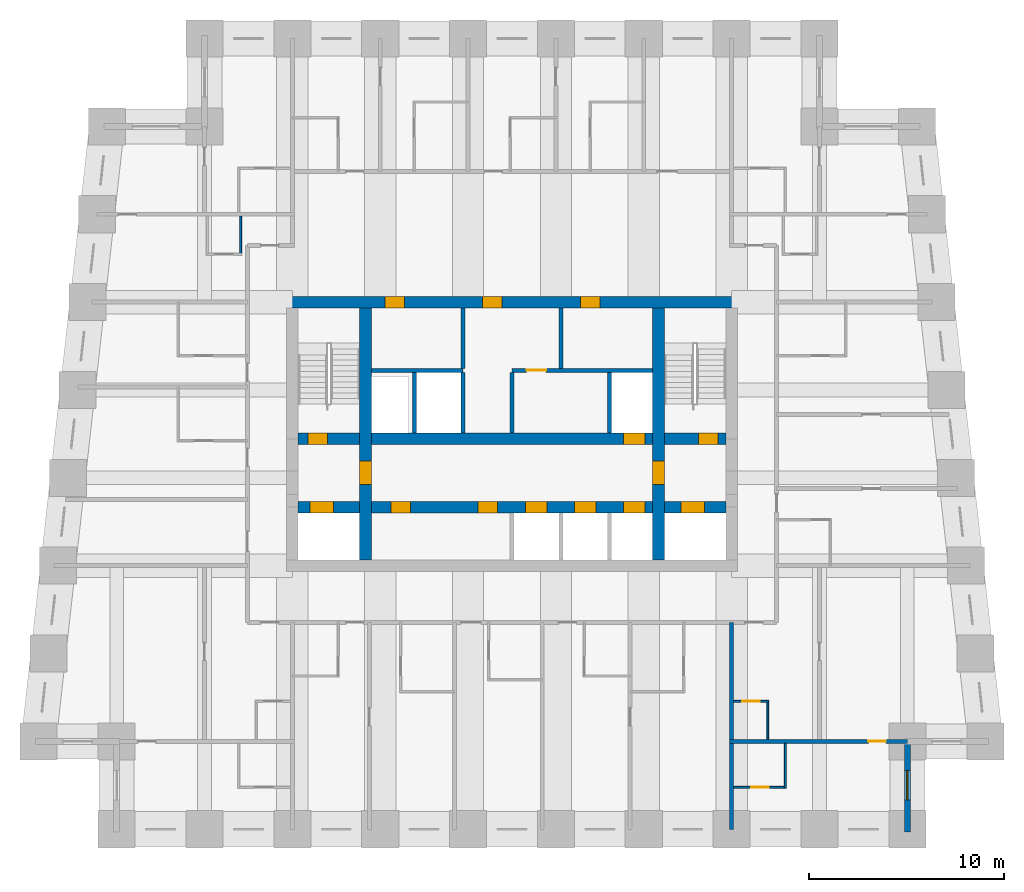
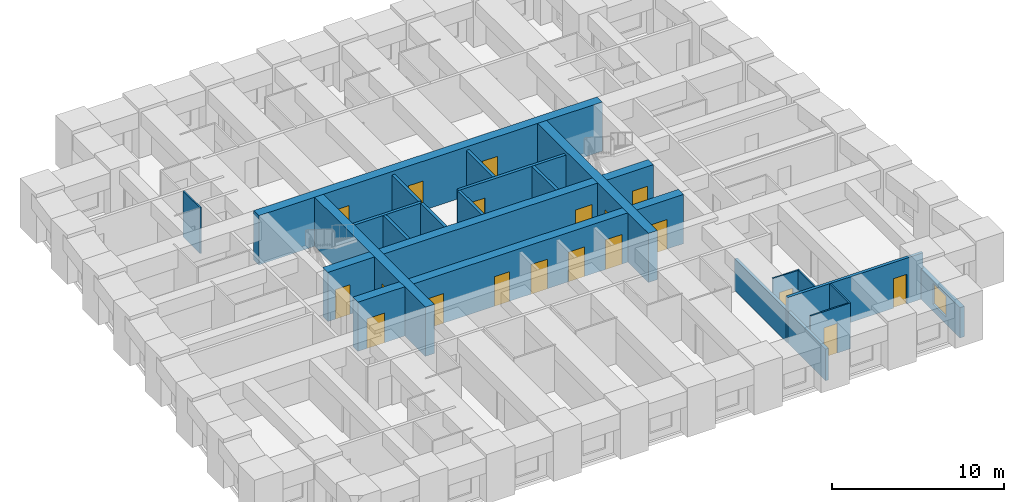
# One storey, part 4 of 8: 21 walls, 19 doors, 1 window, 20 openings.
"""IFC4 building model written with IfcOpenShell, lengths in metres."""

from ifc_helpers import new_model, si_unit, direction, frame, frame_2d, origin, place, context, subcontext, project, spatial, rectangle, extrude, material, layer, layer_set, type_object, element, fill, save


model = new_model("IFC4")

# Units and contexts
model_context = context("Model", 3, precision=1e-05, world=origin(), true_north=direction((0.0, 1.0)))
body_context = subcontext(model_context, "Body", "Model", "MODEL_VIEW")
ifc_project = project(units=[si_unit("LENGTHUNIT", "METRE"), si_unit("AREAUNIT", "SQUARE_METRE"), si_unit("VOLUMEUNIT", "CUBIC_METRE"), si_unit("PLANEANGLEUNIT", "RADIAN"), si_unit("MASSUNIT", "GRAM", prefix="KILO")], contexts=[model_context])

# Site, building, storey
site_placement = place(None, origin())
site = spatial("IfcSite", under=ifc_project, at=site_placement, CompositionType="ELEMENT")
building_placement = place(site_placement, origin())
building = spatial("IfcBuilding", under=site, at=building_placement, Name="Kilele Tower Hotel", CompositionType="ELEMENT")
storey_placement = place(building_placement, frame((0.0, 0.0, 131.89990234375)))
storey = spatial("IfcBuildingStorey", under=building, at=storey_placement, Name="L34", CompositionType="ELEMENT", Elevation=131.89990234375)

# Wall
ifc_material_1 = material(Name="Moisture-resistant board")
ifc_layer_1 = layer(ifc_material_1, 0.10009765625)
ifc_layer_set_1 = layer_set([ifc_layer_1], Name="Moisture-resistant board")
wall_type_1 = type_object("IfcWallType", Name="Bathroom partition 100", PredefinedType="PLUMBINGWALL", material=ifc_layer_set_1)
wall_1_placement = place(storey_placement, frame((37.85009765625, 4.60009765625, 0.0), z_axis=(0.0, 0.0, 1.0), x_axis=(0.0, 1.0, 0.0)))
element("IfcWall", 1, at=wall_1_placement, inside=storey, type_object=wall_type_1, Name="Bathroom partition 100 L34", PredefinedType="PLUMBINGWALL", context=body_context, shape_type="SweptSolid", body=[
    extrude(rectangle(XDim=2.0, YDim=0.10009765625, at=frame_2d((1.0, 0.0))), origin(), (0.0, 0.0, 1.0), 3.25),
])

# Wall, opening, door
wall_2_placement = place(storey_placement, frame((36.10009765625, 6.550048828125, 0.0), z_axis=(0.0, 0.0, 1.0), x_axis=(1.0, 0.0, 0.0)))
wall_2 = element("IfcWall", 2, at=wall_2_placement, inside=storey, type_object=wall_type_1, Name="Bathroom partition 100 L34", PredefinedType="PLUMBINGWALL", context=body_context, shape_type="SweptSolid", body=[
    extrude(rectangle(XDim=1.7998046875, YDim=0.10009765625, at=frame_2d((0.89990234375, 0.0))), origin(), (0.0, 0.0, 1.0), 3.25),
])
opening_1_placement = place(wall_2_placement, frame((0.449951171875, 0.0, 0.0)))
opening_1 = element("IfcOpeningElement", 3, at=opening_1_placement, cuts=wall_2, Name="Opening D2A", PredefinedType="OPENING", context=body_context, shape_type="SweptSolid", body=[
    extrude(rectangle(XDim=0.89990234375, YDim=2.10009765625, at=frame_2d((0.449951171875, 1.050048828125))), frame((0.0, 0.06005859375, 0.0), z_axis=(0.0, -1.0, 0.0), x_axis=(1.0, 0.0, 0.0)), (0.0, 0.0, 1.0), 0.1201171875),
])
ifc_material_2 = material(Name="Timber door leaf in hardwood frame", Category="wood")
door_type_1 = type_object("IfcDoorType", Name="Bathroom door 900", OperationType="SINGLE_SWING_LEFT", PredefinedType="DOOR", material=ifc_material_2)
door_1_placement = place(opening_1_placement, origin())
door_1 = element("IfcDoor", 4, at=door_1_placement, inside=storey, type_object=door_type_1, Name="Bathroom door 3420P", OperationType="SINGLE_SWING_LEFT", OverallHeight=2.10009765625, OverallWidth=0.89990234375, PredefinedType="DOOR", context=body_context, shape_type="SweptSolid", body=[
    extrude(rectangle(XDim=0.89990234375, YDim=2.10009765625, at=frame_2d((0.449951171875, 1.050048828125))), frame((0.0, 0.02490234375, 0.0), z_axis=(0.0, -1.0, 0.0), x_axis=(1.0, 0.0, 0.0)), (0.0, 0.0, 1.0), 0.050048828125),
])
fill(opening_1, door_1)

# Wall
wall_3_placement = place(storey_placement, frame((38.75, 4.39990234375, 0.0), z_axis=(0.0, 0.0, 1.0), x_axis=(0.0, -1.0, 0.0)))
element("IfcWall", 5, at=wall_3_placement, inside=storey, type_object=wall_type_1, Name="Bathroom partition 100 L34", PredefinedType="PLUMBINGWALL", context=body_context, shape_type="SweptSolid", body=[
    extrude(rectangle(XDim=2.2998046875, YDim=0.10009765625, at=frame_2d((1.14990234375, 0.0))), origin(), (0.0, 0.0, 1.0), 3.25),
])

# Wall, opening, door
wall_4_placement = place(storey_placement, frame((36.10009765625, 2.14990234375, 0.0), z_axis=(0.0, 0.0, 1.0), x_axis=(1.0, 0.0, 0.0)))
wall_4 = element("IfcWall", 6, at=wall_4_placement, inside=storey, type_object=wall_type_1, Name="Bathroom partition 100 L34", PredefinedType="PLUMBINGWALL", context=body_context, shape_type="SweptSolid", body=[
    extrude(rectangle(XDim=2.699951171875, YDim=0.10009765625, at=frame_2d((1.35009765625, 0.0))), origin(), (0.0, 0.0, 1.0), 3.25),
])
opening_2_placement = place(wall_4_placement, frame((1.7998046875, 0.0, 0.0), z_axis=(0.0, 0.0, 1.0), x_axis=(-1.0, 0.0, 0.0)))
opening_2 = element("IfcOpeningElement", 7, at=opening_2_placement, cuts=wall_4, Name="Opening D2A", PredefinedType="OPENING", context=body_context, shape_type="SweptSolid", body=[
    extrude(rectangle(XDim=0.89990234375, YDim=2.10009765625, at=frame_2d((0.449951171875, 1.050048828125))), frame((0.0, 0.06005859375, 0.0), z_axis=(0.0, -1.0, 0.0), x_axis=(1.0, 0.0, 0.0)), (0.0, 0.0, 1.0), 0.1201171875),
])
door_2_placement = place(opening_2_placement, origin())
door_2 = element("IfcDoor", 8, at=door_2_placement, inside=storey, type_object=door_type_1, Name="Bathroom door 3422B", OperationType="SINGLE_SWING_RIGHT", OverallHeight=2.10009765625, OverallWidth=0.89990234375, PredefinedType="DOOR", context=body_context, shape_type="SweptSolid", body=[
    extrude(rectangle(XDim=0.89990234375, YDim=2.10009765625, at=frame_2d((0.449951171875, 1.050048828125))), frame((0.0, 0.02490234375, 0.0), z_axis=(0.0, -1.0, 0.0), x_axis=(1.0, 0.0, 0.0)), (0.0, 0.0, 1.0), 0.050048828125),
])
fill(opening_2, door_2)

# Wall
wall_5_placement = place(storey_placement, frame((10.85009765625, 31.39990234375, 0.0), z_axis=(0.0, 0.0, 1.0), x_axis=(0.0, -1.0, 0.0)))
element("IfcWall", 9, at=wall_5_placement, inside=storey, type_object=wall_type_1, Name="Bathroom partition 100 L34", PredefinedType="PLUMBINGWALL", context=body_context, shape_type="SweptSolid", body=[
    extrude(rectangle(XDim=2.0, YDim=0.10009765625, at=frame_2d((1.0, 0.0))), origin(), (0.0, 0.0, 1.0), 3.25),
])

# Wall, openings, doors
ifc_material_3 = material(Name="Concrete C60/75", Category="concrete")
ifc_layer_2 = layer(ifc_material_3, 0.60009765625)
ifc_layer_set_2 = layer_set([ifc_layer_2], Name="Concrete C60/75")
wall_type_2 = type_object("IfcWallType", Name="Core wall 600 C60/75", PredefinedType="SHEAR", material=ifc_layer_set_2)
wall_6_placement = place(storey_placement, frame((36.300048828125, 27.0, 0.0), z_axis=(0.0, 0.0, 1.0), x_axis=(-1.0, 0.0, 0.0)))
wall_6 = element("IfcWall", 10, at=wall_6_placement, inside=storey, type_object=wall_type_2, Name="Core wall N L34", PredefinedType="SHEAR", context=body_context, shape_type="SweptSolid", body=[
    extrude(rectangle(XDim=23.10009765625, YDim=0.60009765625, at=frame_2d((11.550048828125, 0.0))), origin(), (0.0, 0.0, 1.0), 3.5),
])
opening_3_placement = place(wall_6_placement, frame((17.050048828125, 0.0, 0.0)))
opening_3 = element("IfcOpeningElement", 11, at=opening_3_placement, cuts=wall_6, Name="Opening D6", PredefinedType="OPENING", context=body_context, shape_type="SweptSolid", body=[
    extrude(rectangle(XDim=1.0, YDim=2.10009765625, at=frame_2d((0.5, 1.050048828125))), frame((0.0, 0.31005859375, 0.0), z_axis=(0.0, -1.0, 0.0), x_axis=(1.0, 0.0, 0.0)), (0.0, 0.0, 1.0), 0.6201171875),
])
opening_4_placement = place(wall_6_placement, frame((12.050048828125, 0.0, 0.0)))
opening_4 = element("IfcOpeningElement", 12, at=opening_4_placement, cuts=wall_6, Name="Opening D6", PredefinedType="OPENING", context=body_context, shape_type="SweptSolid", body=[
    extrude(rectangle(XDim=1.0, YDim=2.10009765625, at=frame_2d((0.5, 1.050048828125))), frame((0.0, 0.31005859375, 0.0), z_axis=(0.0, -1.0, 0.0), x_axis=(1.0, 0.0, 0.0)), (0.0, 0.0, 1.0), 0.6201171875),
])
opening_5_placement = place(wall_6_placement, frame((7.050048828125, 0.0, 0.0)))
opening_5 = element("IfcOpeningElement", 13, at=opening_5_placement, cuts=wall_6, Name="Opening D6", PredefinedType="OPENING", context=body_context, shape_type="SweptSolid", body=[
    extrude(rectangle(XDim=1.0, YDim=2.10009765625, at=frame_2d((0.5, 1.050048828125))), frame((0.0, 0.31005859375, 0.0), z_axis=(0.0, -1.0, 0.0), x_axis=(1.0, 0.0, 0.0)), (0.0, 0.0, 1.0), 0.6201171875),
])
ifc_material_4 = material(Name="Timber door leaf in hardwood frame", Category="wood")
door_type_2 = type_object("IfcDoorType", Name="Riser door 1000", OperationType="SINGLE_SWING_LEFT", PredefinedType="DOOR", material=ifc_material_4)
door_3_placement = place(opening_3_placement, origin())
door_3 = element("IfcDoor", 14, at=door_3_placement, inside=storey, type_object=door_type_2, Name="Service riser door L34", OperationType="SINGLE_SWING_RIGHT", OverallHeight=2.10009765625, OverallWidth=1.0, PredefinedType="DOOR", context=body_context, shape_type="SweptSolid", body=[
    extrude(rectangle(XDim=1.0, YDim=2.10009765625, at=frame_2d((0.5, 1.050048828125))), frame((0.0, 0.2998046875, 0.0), z_axis=(0.0, -1.0, 0.0), x_axis=(1.0, 0.0, 0.0)), (0.0, 0.0, 1.0), 0.599609375),
])
fill(opening_3, door_3)
door_4_placement = place(opening_4_placement, origin())
door_4 = element("IfcDoor", 15, at=door_4_placement, inside=storey, type_object=door_type_2, Name="Housekeeping linen room door L34", OperationType="SINGLE_SWING_RIGHT", OverallHeight=2.10009765625, OverallWidth=1.0, PredefinedType="DOOR", context=body_context, shape_type="SweptSolid", body=[
    extrude(rectangle(XDim=1.0, YDim=2.10009765625, at=frame_2d((0.5, 1.050048828125))), frame((0.0, 0.2998046875, 0.0), z_axis=(0.0, -1.0, 0.0), x_axis=(1.0, 0.0, 0.0)), (0.0, 0.0, 1.0), 0.599609375),
])
fill(opening_4, door_4)
door_5_placement = place(opening_5_placement, origin())
door_5 = element("IfcDoor", 16, at=door_5_placement, inside=storey, type_object=door_type_2, Name="Electrical riser door L34", OperationType="SINGLE_SWING_RIGHT", OverallHeight=2.10009765625, OverallWidth=1.0, PredefinedType="DOOR", context=body_context, shape_type="SweptSolid", body=[
    extrude(rectangle(XDim=1.0, YDim=2.10009765625, at=frame_2d((0.5, 1.050048828125))), frame((0.0, 0.2998046875, 0.0), z_axis=(0.0, -1.0, 0.0), x_axis=(1.0, 0.0, 0.0)), (0.0, 0.0, 1.0), 0.599609375),
])
fill(opening_5, door_5)

# Wall, opening, door
wall_7_placement = place(storey_placement, frame((17.25, 13.800048828125, 0.0), z_axis=(0.0, 0.0, 1.0), x_axis=(0.0, 1.0, 0.0)))
wall_7 = element("IfcWall", 17, at=wall_7_placement, inside=storey, type_object=wall_type_2, Name="Core wall IW L34", PredefinedType="SHEAR", context=body_context, shape_type="SweptSolid", body=[
    extrude(rectangle(XDim=12.89990234375, YDim=0.60009765625, at=frame_2d((6.449951171875, 0.0))), origin(), (0.0, 0.0, 1.0), 3.5),
])
opening_6_placement = place(wall_7_placement, frame((3.85009765625, 0.0, 0.0)))
opening_6 = element("IfcOpeningElement", 18, at=opening_6_placement, cuts=wall_7, Name="Opening D4", PredefinedType="OPENING", context=body_context, shape_type="SweptSolid", body=[
    extrude(rectangle(XDim=1.199951171875, YDim=2.10009765625, at=frame_2d((0.60009765625, 1.050048828125))), frame((0.0, 0.31005859375, 0.0), z_axis=(0.0, -1.0, 0.0), x_axis=(1.0, 0.0, 0.0)), (0.0, 0.0, 1.0), 0.6201171875),
])
ifc_material_5 = material(Name="Timber door leaf in hardwood frame", Category="wood")
door_type_3 = type_object("IfcDoorType", Name="Firefighting lobby door 1200", OperationType="SINGLE_SWING_LEFT", PredefinedType="DOOR", material=ifc_material_5)
door_6_placement = place(opening_6_placement, origin())
door_6 = element("IfcDoor", 19, at=door_6_placement, inside=storey, type_object=door_type_3, Name="Lobby door L34", OperationType="SINGLE_SWING_LEFT", OverallHeight=2.10009765625, OverallWidth=1.199951171875, PredefinedType="DOOR", context=body_context, shape_type="SweptSolid", body=[
    extrude(rectangle(XDim=1.199951171875, YDim=2.10009765625, at=frame_2d((0.60009765625, 1.050048828125))), frame((0.0, 0.2998046875, 0.0), z_axis=(0.0, -1.0, 0.0), x_axis=(1.0, 0.0, 0.0)), (0.0, 0.0, 1.0), 0.599609375),
])
fill(opening_6, door_6)

wall_8_placement = place(storey_placement, frame((32.25, 13.800048828125, 0.0), z_axis=(0.0, 0.0, 1.0), x_axis=(0.0, 1.0, 0.0)))
wall_8 = element("IfcWall", 20, at=wall_8_placement, inside=storey, type_object=wall_type_2, Name="Core wall IE L34", PredefinedType="SHEAR", context=body_context, shape_type="SweptSolid", body=[
    extrude(rectangle(XDim=12.89990234375, YDim=0.60009765625, at=frame_2d((6.449951171875, 0.0))), origin(), (0.0, 0.0, 1.0), 3.5),
])
opening_7_placement = place(wall_8_placement, frame((5.050048828125, 0.0, 0.0), z_axis=(0.0, 0.0, 1.0), x_axis=(-1.0, 0.0, 0.0)))
opening_7 = element("IfcOpeningElement", 21, at=opening_7_placement, cuts=wall_8, Name="Opening D4", PredefinedType="OPENING", context=body_context, shape_type="SweptSolid", body=[
    extrude(rectangle(XDim=1.199951171875, YDim=2.10009765625, at=frame_2d((0.60009765625, 1.050048828125))), frame((0.0, 0.31005859375, 0.0), z_axis=(0.0, -1.0, 0.0), x_axis=(1.0, 0.0, 0.0)), (0.0, 0.0, 1.0), 0.6201171875),
])
door_7_placement = place(opening_7_placement, origin())
door_7 = element("IfcDoor", 22, at=door_7_placement, inside=storey, type_object=door_type_3, Name="Lobby door L34", OperationType="SINGLE_SWING_RIGHT", OverallHeight=2.10009765625, OverallWidth=1.199951171875, PredefinedType="DOOR", context=body_context, shape_type="SweptSolid", body=[
    extrude(rectangle(XDim=1.199951171875, YDim=2.10009765625, at=frame_2d((0.60009765625, 1.050048828125))), frame((0.0, 0.2998046875, 0.0), z_axis=(0.0, -1.0, 0.0), x_axis=(1.0, 0.0, 0.0)), (0.0, 0.0, 1.0), 0.599609375),
])
fill(opening_7, door_7)

# Wall, openings, doors
wall_9_placement = place(storey_placement, frame((13.800048828125, 16.5, 0.0), z_axis=(0.0, 0.0, 1.0), x_axis=(1.0, 0.0, 0.0)))
wall_9 = element("IfcWall", 23, at=wall_9_placement, inside=storey, type_object=wall_type_2, Name="Core wall LS L34", PredefinedType="SHEAR", context=body_context, shape_type="SweptSolid", body=[
    extrude(rectangle(XDim=21.89990234375, YDim=0.60009765625, at=frame_2d((10.949951171875, 0.0))), origin(), (0.0, 0.0, 1.0), 3.5),
])
opening_8_placement = place(wall_9_placement, frame((11.64990234375, 0.0, 0.0)))
opening_8 = element("IfcOpeningElement", 24, at=opening_8_placement, cuts=wall_9, Name="Opening LD1", PredefinedType="OPENING", context=body_context, shape_type="SweptSolid", body=[
    extrude(rectangle(XDim=1.10009765625, YDim=2.10009765625, at=frame_2d((0.550048828125, 1.050048828125))), frame((0.0, 0.31005859375, 0.0), z_axis=(0.0, -1.0, 0.0), x_axis=(1.0, 0.0, 0.0)), (0.0, 0.0, 1.0), 0.6201171875),
])
opening_9_placement = place(wall_9_placement, frame((14.14990234375, 0.0, 0.0)))
opening_9 = element("IfcOpeningElement", 25, at=opening_9_placement, cuts=wall_9, Name="Opening LD1", PredefinedType="OPENING", context=body_context, shape_type="SweptSolid", body=[
    extrude(rectangle(XDim=1.10009765625, YDim=2.10009765625, at=frame_2d((0.550048828125, 1.050048828125))), frame((0.0, 0.31005859375, 0.0), z_axis=(0.0, -1.0, 0.0), x_axis=(1.0, 0.0, 0.0)), (0.0, 0.0, 1.0), 0.6201171875),
])
opening_10_placement = place(wall_9_placement, frame((16.64990234375, 0.0, 0.0)))
opening_10 = element("IfcOpeningElement", 26, at=opening_10_placement, cuts=wall_9, Name="Opening LD1", PredefinedType="OPENING", context=body_context, shape_type="SweptSolid", body=[
    extrude(rectangle(XDim=1.10009765625, YDim=2.10009765625, at=frame_2d((0.550048828125, 1.050048828125))), frame((0.0, 0.31005859375, 0.0), z_axis=(0.0, -1.0, 0.0), x_axis=(1.0, 0.0, 0.0)), (0.0, 0.0, 1.0), 0.6201171875),
])
opening_11_placement = place(wall_9_placement, frame((5.75, 0.0, 0.0), z_axis=(0.0, 0.0, 1.0), x_axis=(-1.0, 0.0, 0.0)))
opening_11 = element("IfcOpeningElement", 27, at=opening_11_placement, cuts=wall_9, Name="Opening D11", PredefinedType="OPENING", context=body_context, shape_type="SweptSolid", body=[
    extrude(rectangle(XDim=1.0, YDim=2.10009765625, at=frame_2d((0.5, 1.050048828125))), frame((0.0, 0.31005859375, 0.0), z_axis=(0.0, -1.0, 0.0), x_axis=(1.0, 0.0, 0.0)), (0.0, 0.0, 1.0), 0.6201171875),
])
opening_12_placement = place(wall_9_placement, frame((10.199951171875, 0.0, 0.0), z_axis=(0.0, 0.0, 1.0), x_axis=(-1.0, 0.0, 0.0)))
opening_12 = element("IfcOpeningElement", 28, at=opening_12_placement, cuts=wall_9, Name="Opening D11", PredefinedType="OPENING", context=body_context, shape_type="SweptSolid", body=[
    extrude(rectangle(XDim=1.0, YDim=2.10009765625, at=frame_2d((0.5, 1.050048828125))), frame((0.0, 0.31005859375, 0.0), z_axis=(0.0, -1.0, 0.0), x_axis=(1.0, 0.0, 0.0)), (0.0, 0.0, 1.0), 0.6201171875),
])
opening_13_placement = place(wall_9_placement, frame((0.60009765625, 0.0, 0.0)))
opening_13 = element("IfcOpeningElement", 29, at=opening_13_placement, cuts=wall_9, Name="Opening LD2", PredefinedType="OPENING", context=body_context, shape_type="SweptSolid", body=[
    extrude(rectangle(XDim=1.199951171875, YDim=2.10009765625, at=frame_2d((0.60009765625, 1.050048828125))), frame((0.0, 0.31005859375, 0.0), z_axis=(0.0, -1.0, 0.0), x_axis=(1.0, 0.0, 0.0)), (0.0, 0.0, 1.0), 0.6201171875),
])
opening_14_placement = place(wall_9_placement, frame((19.60009765625, 0.0, 0.0)))
opening_14 = element("IfcOpeningElement", 30, at=opening_14_placement, cuts=wall_9, Name="Opening LD2", PredefinedType="OPENING", context=body_context, shape_type="SweptSolid", body=[
    extrude(rectangle(XDim=1.199951171875, YDim=2.10009765625, at=frame_2d((0.60009765625, 1.050048828125))), frame((0.0, 0.31005859375, 0.0), z_axis=(0.0, -1.0, 0.0), x_axis=(1.0, 0.0, 0.0)), (0.0, 0.0, 1.0), 0.6201171875),
])
ifc_material_6 = material(Name="Timber door leaf in hardwood frame", Category="wood")
door_type_4 = type_object("IfcDoorType", Name="Core store door 1000", OperationType="SINGLE_SWING_LEFT", PredefinedType="DOOR", material=ifc_material_6)
door_8_placement = place(opening_11_placement, origin())
door_8 = element("IfcDoor", 31, at=door_8_placement, inside=storey, type_object=door_type_4, Name="Core room door L1 L34", OperationType="SINGLE_SWING_RIGHT", OverallHeight=2.10009765625, OverallWidth=1.0, PredefinedType="DOOR", context=body_context, shape_type="SweptSolid", body=[
    extrude(rectangle(XDim=1.0, YDim=2.10009765625, at=frame_2d((0.5, 1.050048828125))), frame((0.0, 0.2998046875, 0.0), z_axis=(0.0, -1.0, 0.0), x_axis=(1.0, 0.0, 0.0)), (0.0, 0.0, 1.0), 0.599609375),
])
fill(opening_11, door_8)
door_9_placement = place(opening_12_placement, origin())
door_9 = element("IfcDoor", 32, at=door_9_placement, inside=storey, type_object=door_type_4, Name="Core room door L3 L34", OperationType="SINGLE_SWING_LEFT", OverallHeight=2.10009765625, OverallWidth=1.0, PredefinedType="DOOR", context=body_context, shape_type="SweptSolid", body=[
    extrude(rectangle(XDim=1.0, YDim=2.10009765625, at=frame_2d((0.5, 1.050048828125))), frame((0.0, 0.2998046875, 0.0), z_axis=(0.0, -1.0, 0.0), x_axis=(1.0, 0.0, 0.0)), (0.0, 0.0, 1.0), 0.599609375),
])
fill(opening_12, door_9)
ifc_material_7 = material(Name="Steel lift landing door", Category="steel")
door_type_5 = type_object("IfcDoorType", Name="Firefighting lift landing door 1200", OperationType="SLIDING_TO_LEFT", PredefinedType="DOOR", material=ifc_material_7)
door_10_placement = place(opening_13_placement, origin())
door_10 = element("IfcDoor", 33, at=door_10_placement, inside=storey, type_object=door_type_5, Name="Landing door FFW L34", OperationType="SLIDING_TO_LEFT", OverallHeight=2.10009765625, OverallWidth=1.199951171875, PredefinedType="DOOR", context=body_context, shape_type="SweptSolid", body=[
    extrude(rectangle(XDim=1.199951171875, YDim=2.10009765625, at=frame_2d((0.60009765625, 1.050048828125))), frame((0.0, 0.2998046875, 0.0), z_axis=(0.0, -1.0, 0.0), x_axis=(1.0, 0.0, 0.0)), (0.0, 0.0, 1.0), 0.599609375),
])
fill(opening_13, door_10)
door_11_placement = place(opening_14_placement, origin())
door_11 = element("IfcDoor", 34, at=door_11_placement, inside=storey, type_object=door_type_5, Name="Landing door FFE L34", OperationType="SLIDING_TO_LEFT", OverallHeight=2.10009765625, OverallWidth=1.199951171875, PredefinedType="DOOR", context=body_context, shape_type="SweptSolid", body=[
    extrude(rectangle(XDim=1.199951171875, YDim=2.10009765625, at=frame_2d((0.60009765625, 1.050048828125))), frame((0.0, 0.2998046875, 0.0), z_axis=(0.0, -1.0, 0.0), x_axis=(1.0, 0.0, 0.0)), (0.0, 0.0, 1.0), 0.599609375),
])
fill(opening_14, door_11)
ifc_material_8 = material(Name="Steel lift landing door", Category="steel")
door_type_6 = type_object("IfcDoorType", Name="Lift landing door 1100", OperationType="SLIDING_TO_LEFT", PredefinedType="DOOR", material=ifc_material_8)
door_12_placement = place(opening_8_placement, origin())
door_12 = element("IfcDoor", 35, at=door_12_placement, inside=storey, type_object=door_type_6, Name="Landing door M1 L34", OperationType="SLIDING_TO_LEFT", OverallHeight=2.10009765625, OverallWidth=1.10009765625, PredefinedType="DOOR", context=body_context, shape_type="SweptSolid", body=[
    extrude(rectangle(XDim=1.10009765625, YDim=2.10009765625, at=frame_2d((0.550048828125, 1.050048828125))), frame((0.0, 0.2998046875, 0.0), z_axis=(0.0, -1.0, 0.0), x_axis=(1.0, 0.0, 0.0)), (0.0, 0.0, 1.0), 0.599609375),
])
fill(opening_8, door_12)
door_13_placement = place(opening_9_placement, origin())
door_13 = element("IfcDoor", 36, at=door_13_placement, inside=storey, type_object=door_type_6, Name="Landing door M2 L34", OperationType="SLIDING_TO_LEFT", OverallHeight=2.10009765625, OverallWidth=1.10009765625, PredefinedType="DOOR", context=body_context, shape_type="SweptSolid", body=[
    extrude(rectangle(XDim=1.10009765625, YDim=2.10009765625, at=frame_2d((0.550048828125, 1.050048828125))), frame((0.0, 0.2998046875, 0.0), z_axis=(0.0, -1.0, 0.0), x_axis=(1.0, 0.0, 0.0)), (0.0, 0.0, 1.0), 0.599609375),
])
fill(opening_9, door_13)
door_14_placement = place(opening_10_placement, origin())
door_14 = element("IfcDoor", 37, at=door_14_placement, inside=storey, type_object=door_type_6, Name="Landing door M3 L34", OperationType="SLIDING_TO_LEFT", OverallHeight=2.10009765625, OverallWidth=1.10009765625, PredefinedType="DOOR", context=body_context, shape_type="SweptSolid", body=[
    extrude(rectangle(XDim=1.10009765625, YDim=2.10009765625, at=frame_2d((0.550048828125, 1.050048828125))), frame((0.0, 0.2998046875, 0.0), z_axis=(0.0, -1.0, 0.0), x_axis=(1.0, 0.0, 0.0)), (0.0, 0.0, 1.0), 0.599609375),
])
fill(opening_10, door_14)

wall_10_placement = place(storey_placement, frame((13.800048828125, 20.0, 0.0), z_axis=(0.0, 0.0, 1.0), x_axis=(1.0, 0.0, 0.0)))
wall_10 = element("IfcWall", 38, at=wall_10_placement, inside=storey, type_object=wall_type_2, Name="Core wall LN L34", PredefinedType="SHEAR", context=body_context, shape_type="SweptSolid", body=[
    extrude(rectangle(XDim=21.89990234375, YDim=0.60009765625, at=frame_2d((10.949951171875, 0.0))), origin(), (0.0, 0.0, 1.0), 3.5),
])
opening_15_placement = place(wall_10_placement, frame((0.5, 0.0, 0.0)))
opening_15 = element("IfcOpeningElement", 39, at=opening_15_placement, cuts=wall_10, Name="Opening D5", PredefinedType="OPENING", context=body_context, shape_type="SweptSolid", body=[
    extrude(rectangle(XDim=1.0, YDim=2.10009765625, at=frame_2d((0.5, 1.050048828125))), frame((0.0, 0.31005859375, 0.0), z_axis=(0.0, -1.0, 0.0), x_axis=(1.0, 0.0, 0.0)), (0.0, 0.0, 1.0), 0.6201171875),
])
opening_16_placement = place(wall_10_placement, frame((20.5, 0.0, 0.0)))
opening_16 = element("IfcOpeningElement", 40, at=opening_16_placement, cuts=wall_10, Name="Opening D5", PredefinedType="OPENING", context=body_context, shape_type="SweptSolid", body=[
    extrude(rectangle(XDim=1.0, YDim=2.10009765625, at=frame_2d((0.5, 1.050048828125))), frame((0.0, 0.31005859375, 0.0), z_axis=(0.0, -1.0, 0.0), x_axis=(1.0, 0.0, 0.0)), (0.0, 0.0, 1.0), 0.6201171875),
])
opening_17_placement = place(wall_10_placement, frame((16.64990234375, 0.0, 0.0)))
opening_17 = element("IfcOpeningElement", 41, at=opening_17_placement, cuts=wall_10, Name="Opening LD1", PredefinedType="OPENING", context=body_context, shape_type="SweptSolid", body=[
    extrude(rectangle(XDim=1.10009765625, YDim=2.10009765625, at=frame_2d((0.550048828125, 1.050048828125))), frame((0.0, 0.31005859375, 0.0), z_axis=(0.0, -1.0, 0.0), x_axis=(1.0, 0.0, 0.0)), (0.0, 0.0, 1.0), 0.6201171875),
])
door_15_placement = place(opening_17_placement, origin())
door_15 = element("IfcDoor", 42, at=door_15_placement, inside=storey, type_object=door_type_6, Name="Landing door G1 L34", OperationType="SLIDING_TO_LEFT", OverallHeight=2.10009765625, OverallWidth=1.10009765625, PredefinedType="DOOR", context=body_context, shape_type="SweptSolid", body=[
    extrude(rectangle(XDim=1.10009765625, YDim=2.10009765625, at=frame_2d((0.550048828125, 1.050048828125))), frame((0.0, 0.2998046875, 0.0), z_axis=(0.0, -1.0, 0.0), x_axis=(1.0, 0.0, 0.0)), (0.0, 0.0, 1.0), 0.599609375),
])
fill(opening_17, door_15)
ifc_material_9 = material(Name="Timber door leaf in hardwood frame", Category="wood")
door_type_7 = type_object("IfcDoorType", Name="Stair door 1000", OperationType="SINGLE_SWING_LEFT", PredefinedType="DOOR", material=ifc_material_9)
door_16_placement = place(opening_15_placement, origin())
door_16 = element("IfcDoor", 43, at=door_16_placement, inside=storey, type_object=door_type_7, Name="Stair 1 door L34", OperationType="SINGLE_SWING_LEFT", OverallHeight=2.10009765625, OverallWidth=1.0, PredefinedType="DOOR", context=body_context, shape_type="SweptSolid", body=[
    extrude(rectangle(XDim=1.0, YDim=2.10009765625, at=frame_2d((0.5, 1.050048828125))), frame((0.0, 0.2998046875, 0.0), z_axis=(0.0, -1.0, 0.0), x_axis=(1.0, 0.0, 0.0)), (0.0, 0.0, 1.0), 0.599609375),
])
fill(opening_15, door_16)
door_17_placement = place(opening_16_placement, origin())
door_17 = element("IfcDoor", 44, at=door_17_placement, inside=storey, type_object=door_type_7, Name="Stair 2 door L34", OperationType="SINGLE_SWING_RIGHT", OverallHeight=2.10009765625, OverallWidth=1.0, PredefinedType="DOOR", context=body_context, shape_type="SweptSolid", body=[
    extrude(rectangle(XDim=1.0, YDim=2.10009765625, at=frame_2d((0.5, 1.050048828125))), frame((0.0, 0.2998046875, 0.0), z_axis=(0.0, -1.0, 0.0), x_axis=(1.0, 0.0, 0.0)), (0.0, 0.0, 1.0), 0.599609375),
])
fill(opening_16, door_17)

# Wall
ifc_material_10 = material(Name="Blockwork, plastered both sides", Category="masonry")
ifc_layer_3 = layer(ifc_material_10, 0.199951171875)
ifc_layer_set_3 = layer_set([ifc_layer_3], Name="Blockwork, plastered both sides")
wall_type_3 = type_object("IfcWallType", Name="Party wall 200", PredefinedType="PARTITIONING", material=ifc_layer_set_3)
wall_11_placement = place(storey_placement, frame((36.0, 10.60009765625, 0.0), z_axis=(0.0, 0.0, 1.0), x_axis=(0.0, -1.0, 0.0)))
element("IfcWall", 45, at=wall_11_placement, inside=storey, type_object=wall_type_3, Name="Party wall 200 L34", PredefinedType="PARTITIONING", context=body_context, shape_type="SweptSolid", body=[
    extrude(rectangle(XDim=10.60009765625, YDim=0.199951171875, at=frame_2d((5.300048828125, 0.0))), origin(), (0.0, 0.0, 1.0), 2.25),
])

# Wall, opening, door
wall_12_placement = place(storey_placement, frame((35.89990234375, 4.5, 0.0), z_axis=(0.0, 0.0, 1.0), x_axis=(1.0, 0.0, 0.0)))
wall_12 = element("IfcWall", 46, at=wall_12_placement, inside=storey, type_object=wall_type_3, Name="Party wall 200 L34", PredefinedType="PARTITIONING", context=body_context, shape_type="SweptSolid", body=[
    extrude(rectangle(XDim=9.10009765625, YDim=0.199951171875, at=frame_2d((4.550048828125, 0.0))), origin(), (0.0, 0.0, 1.0), 3.25),
])
opening_18_placement = place(wall_12_placement, frame((7.10009765625, 0.0, 0.0)))
opening_18 = element("IfcOpeningElement", 47, at=opening_18_placement, cuts=wall_12, Name="Opening D3", PredefinedType="OPENING", context=body_context, shape_type="SweptSolid", body=[
    extrude(rectangle(XDim=0.89990234375, YDim=2.10009765625, at=frame_2d((0.449951171875, 1.050048828125))), frame((0.0, 0.10986328125, 0.0), z_axis=(0.0, -1.0, 0.0), x_axis=(1.0, 0.0, 0.0)), (0.0, 0.0, 1.0), 0.219970703125),
])
ifc_material_11 = material(Name="Timber door leaf in hardwood frame", Category="wood")
door_type_8 = type_object("IfcDoorType", Name="Suite internal door 900", OperationType="SINGLE_SWING_LEFT", PredefinedType="DOOR", material=ifc_material_11)
door_18_placement = place(opening_18_placement, origin())
door_18 = element("IfcDoor", 48, at=door_18_placement, inside=storey, type_object=door_type_8, Name="Suite door 3422", OperationType="SINGLE_SWING_RIGHT", OverallHeight=2.10009765625, OverallWidth=0.89990234375, PredefinedType="DOOR", context=body_context, shape_type="SweptSolid", body=[
    extrude(rectangle(XDim=0.89990234375, YDim=2.10009765625, at=frame_2d((0.449951171875, 1.050048828125))), frame((0.0, 0.02490234375, 0.0), z_axis=(0.0, -1.0, 0.0), x_axis=(1.0, 0.0, 0.0)), (0.0, 0.0, 1.0), 0.050048828125),
])
fill(opening_18, door_18)

# Wall, opening, window
ifc_material_12 = material(Name="Concrete C40/50 precast", Category="concrete")
ifc_layer_4 = layer(ifc_material_12, 0.260009765625, Name="Precast backing", Category="LoadBearing")
ifc_material_13 = material(Name="Reconstituted stone finish", Category="masonry")
ifc_layer_5 = layer(ifc_material_13, 0.0400390625, Name="Face mix", Category="Finish")
ifc_layer_set_4 = layer_set([ifc_layer_4, ifc_layer_5], Name="Precast concrete C40/50, reconstituted stone finish")
wall_type_4 = type_object("IfcWallType", Name="Precast stone facade wall 300", PredefinedType="STANDARD", material=ifc_layer_set_4)
wall_13_placement = place(storey_placement, frame((45.0, -0.14990234375, 0.0), z_axis=(0.0, 0.0, 1.0), x_axis=(0.0, 1.0, 0.0)))
wall_13 = element("IfcWall", 49, at=wall_13_placement, inside=storey, type_object=wall_type_4, Name="Facade wall L34 edge 4", PredefinedType="STANDARD", context=body_context, shape_type="SweptSolid", body=[
    extrude(rectangle(XDim=4.7998046875, YDim=0.300048828125, at=frame_2d((2.39990234375, 0.0))), origin(), (0.0, 0.0, 1.0), 2.150146484375),
])
opening_19_placement = place(wall_13_placement, frame((1.64990234375, 0.0, 0.5)))
opening_19 = element("IfcOpeningElement", 50, at=opening_19_placement, cuts=wall_13, Name="Opening W2", PredefinedType="OPENING", context=body_context, shape_type="SweptSolid", body=[
    extrude(rectangle(XDim=1.5, YDim=1.5, at=frame_2d((0.75, 0.75))), frame((0.0, 0.159912109375, 0.0), z_axis=(0.0, -1.0, 0.0), x_axis=(1.0, 0.0, 0.0)), (0.0, 0.0, 1.0), 0.320068359375),
])
ifc_material_14 = material(Name="Aluminium frame, clear double glazing", Category="aluminium")
window_type = type_object("IfcWindowType", Name="Window W2 1500 x 1500", PartitioningType="SINGLE_PANEL", PredefinedType="WINDOW", material=ifc_material_14)
window_placement = place(opening_19_placement, origin())
window = element("IfcWindow", 51, at=window_placement, inside=storey, type_object=window_type, Name="Window L34", OverallHeight=1.5, OverallWidth=1.5, PartitioningType="SINGLE_PANEL", PredefinedType="WINDOW", context=body_context, shape_type="SweptSolid", body=[
    extrude(rectangle(XDim=1.5, YDim=1.5, at=frame_2d((0.75, 0.75))), frame((0.0, 0.030029296875, 0.0), z_axis=(0.0, -1.0, 0.0), x_axis=(1.0, 0.0, 0.0)), (0.0, 0.0, 1.0), 0.06005859375),
])
fill(opening_19, window)

# Walls
ifc_material_15 = material(Name="Blockwork, fire-rated", Category="masonry")
ifc_layer_6 = layer(ifc_material_15, 0.199951171875)
ifc_layer_set_5 = layer_set([ifc_layer_6], Name="Blockwork, fire-rated")
wall_type_5 = type_object("IfcWallType", Name="Shaft wall 200", PredefinedType="PARTITIONING", material=ifc_layer_set_5)
for number, where, z_axis, x_axis, name in (
    (52, (19.75, 20.300048828125, 0.0), (0.0, 0.0, 1.0), (0.0, 1.0, 0.0), "Shaft wall 200 L34"),
    (53, (22.25, 20.300048828125, 0.0), (0.0, 0.0, 1.0), (0.0, 1.0, 0.0), "Shaft wall 200 L34"),
    (54, (24.75, 20.300048828125, 0.0), (0.0, 0.0, 1.0), (0.0, 1.0, 0.0), "Shaft wall 200 L34"),
    (55, (29.75, 20.300048828125, 0.0), (0.0, 0.0, 1.0), (0.0, 1.0, 0.0), "Shaft wall 200 L34"),
):
    element("IfcWall", number, at=place(storey_placement, frame(where, z_axis=z_axis, x_axis=x_axis)), inside=storey, type_object=wall_type_5, Name=name, PredefinedType="PARTITIONING", context=body_context, shape_type="SweptSolid", body=[
        extrude(rectangle(XDim=3.099853515625, YDim=0.199951171875, at=frame_2d((1.5498046875, 0.0))), origin(), (0.0, 0.0, 1.0), 3.25),
    ])
wall_14_placement = place(storey_placement, frame((17.550048828125, 23.5, 0.0), z_axis=(0.0, 0.0, 1.0), x_axis=(1.0, 0.0, 0.0)))
element("IfcWall", 56, at=wall_14_placement, inside=storey, type_object=wall_type_5, Name="Shaft wall 200 L34", PredefinedType="PARTITIONING", context=body_context, shape_type="SweptSolid", body=[
    extrude(rectangle(XDim=4.699951171875, YDim=0.199951171875, at=frame_2d((2.35009765625, 0.0))), origin(), (0.0, 0.0, 1.0), 3.25),
])

# Wall, opening, door
wall_15_placement = place(storey_placement, frame((24.75, 23.5, 0.0), z_axis=(0.0, 0.0, 1.0), x_axis=(1.0, 0.0, 0.0)))
wall_15 = element("IfcWall", 57, at=wall_15_placement, inside=storey, type_object=wall_type_5, Name="Shaft wall 200 L34", PredefinedType="PARTITIONING", context=body_context, shape_type="SweptSolid", body=[
    extrude(rectangle(XDim=7.199951171875, YDim=0.199951171875, at=frame_2d((3.60009765625, 0.0))), origin(), (0.0, 0.0, 1.0), 3.25),
])
opening_20_placement = place(wall_15_placement, frame((0.75, 0.0, 0.0)))
opening_20 = element("IfcOpeningElement", 58, at=opening_20_placement, cuts=wall_15, Name="Opening D11", PredefinedType="OPENING", context=body_context, shape_type="SweptSolid", body=[
    extrude(rectangle(XDim=1.0, YDim=2.10009765625, at=frame_2d((0.5, 1.050048828125))), frame((0.0, 0.10986328125, 0.0), z_axis=(0.0, -1.0, 0.0), x_axis=(1.0, 0.0, 0.0)), (0.0, 0.0, 1.0), 0.219970703125),
])
door_19_placement = place(opening_20_placement, origin())
door_19 = element("IfcDoor", 59, at=door_19_placement, inside=storey, type_object=door_type_4, Name="Core room door H2", OperationType="SINGLE_SWING_RIGHT", OverallHeight=2.10009765625, OverallWidth=1.0, PredefinedType="DOOR", context=body_context, shape_type="SweptSolid", body=[
    extrude(rectangle(XDim=1.0, YDim=2.10009765625, at=frame_2d((0.5, 1.050048828125))), frame((0.0, 0.02490234375, 0.0), z_axis=(0.0, -1.0, 0.0), x_axis=(1.0, 0.0, 0.0)), (0.0, 0.0, 1.0), 0.050048828125),
])
fill(opening_20, door_19)

# Walls
for number, where, z_axis, x_axis, name in (
    (60, (22.25, 23.60009765625, 0.0), (0.0, 0.0, 1.0), (0.0, 1.0, 0.0), "Shaft wall 200 L34"),
    (61, (27.25, 23.60009765625, 0.0), (0.0, 0.0, 1.0), (0.0, 1.0, 0.0), "Shaft wall 200 L34"),
):
    element("IfcWall", number, at=place(storey_placement, frame(where, z_axis=z_axis, x_axis=x_axis)), inside=storey, type_object=wall_type_5, Name=name, PredefinedType="PARTITIONING", context=body_context, shape_type="SweptSolid", body=[
        extrude(rectangle(XDim=3.099853515625, YDim=0.199951171875, at=frame_2d((1.5498046875, 0.0))), origin(), (0.0, 0.0, 1.0), 3.25),
    ])

save(model, "model.ifc")
